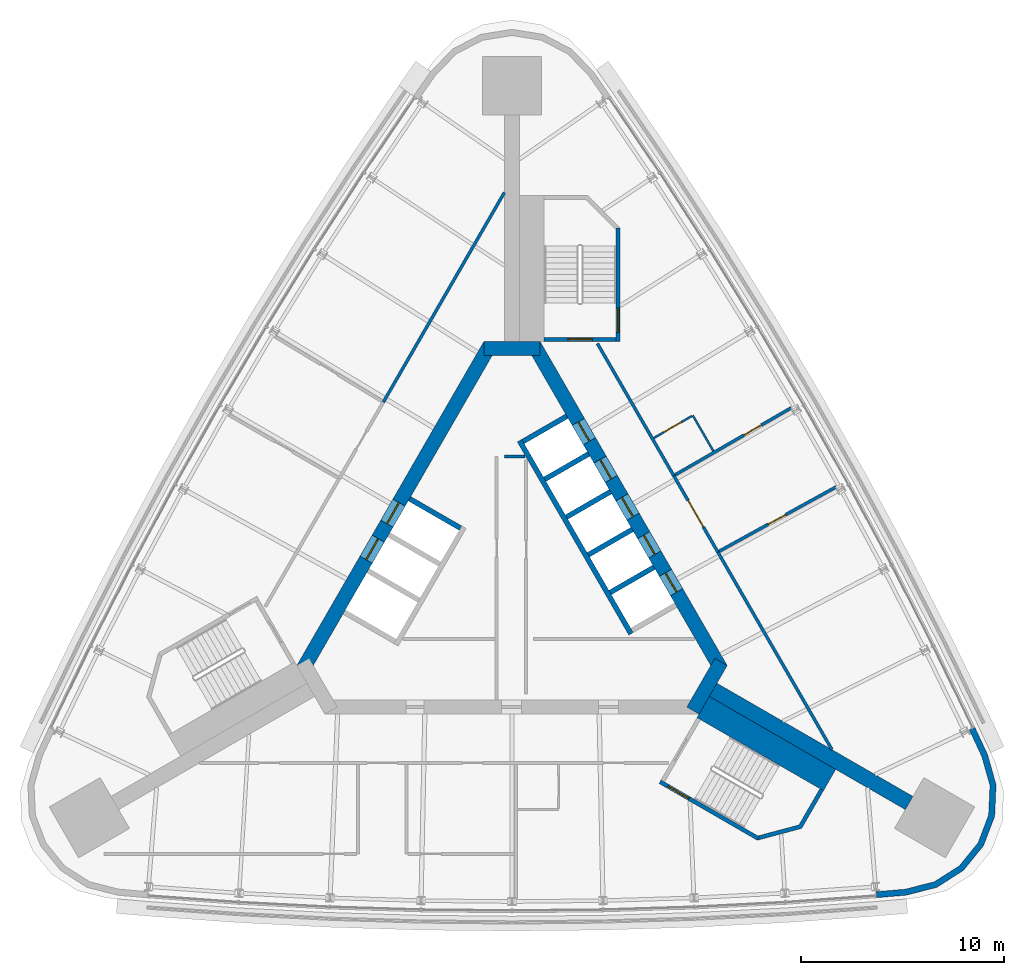
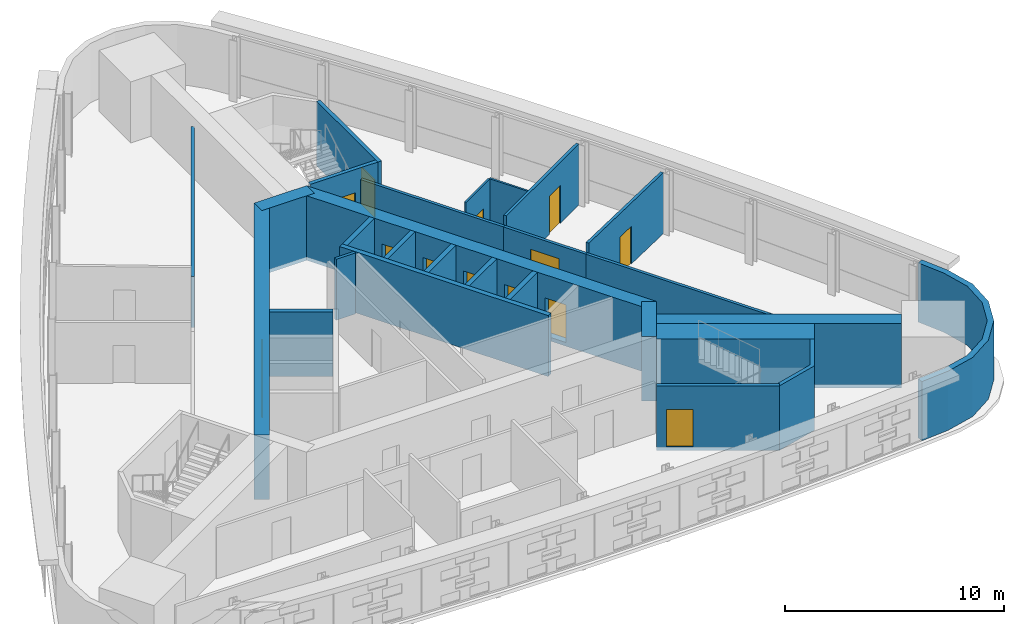
# One storey, part 10 of 13: 27 walls, 14 doors, 14 openings.
"""IFC4 building model written with IfcOpenShell, lengths in metres."""

from ifc_helpers import new_model, si_unit, direction, frame, frame_2d, origin, place, context, subcontext, project, spatial, polyline, rectangle, outline, extrude, material, layer, layer_set, type_object, element, fill, save


model = new_model("IFC4")

# Units and contexts
model_context = context("Model", 3, precision=1e-05, world=origin(), true_north=direction((0.0, 1.0)))
body_context = subcontext(model_context, "Body", "Model", "MODEL_VIEW")
ifc_project = project(units=[si_unit("LENGTHUNIT", "METRE"), si_unit("AREAUNIT", "SQUARE_METRE"), si_unit("VOLUMEUNIT", "CUBIC_METRE"), si_unit("PLANEANGLEUNIT", "RADIAN"), si_unit("MASSUNIT", "GRAM", prefix="KILO")], contexts=[model_context])

# Site, building, storey
site_placement = place(None, origin())
site = spatial("IfcSite", under=ifc_project, at=site_placement, CompositionType="ELEMENT")
building_placement = place(site_placement, origin())
building = spatial("IfcBuilding", under=site, at=building_placement, Name="Noor Cloister Tower", CompositionType="ELEMENT")
storey_placement = place(building_placement, frame((0.0, 0.0, 140.10009765625)))
storey = spatial("IfcBuildingStorey", under=building, at=storey_placement, Name="L35", CompositionType="ELEMENT", Elevation=140.10009765625)

# Walls
ifc_material_1 = material(Name="Concrete C70/85", Category="concrete")
ifc_layer_1 = layer(ifc_material_1, 0.75)
ifc_layer_set_1 = layer_set([ifc_layer_1], Name="Buttress wall 750 C70/85")
wall_type_1 = type_object("IfcWallType", Name="Buttress wall 750 C70/85", PredefinedType="SHEAR", material=ifc_layer_set_1)
wall_1_placement = place(storey_placement, frame((9.921630859375, -5.728271484375, -0.2001953125), z_axis=(0.0, 0.0, 1.0), x_axis=(0.866023928423, -0.500002555393, 0.0)))
element("IfcWall", 1, at=wall_1_placement, inside=storey, type_object=wall_type_1, Name="Buttress wall SE L35", PredefinedType="SHEAR", context=body_context, shape_type="SweptSolid", body=[
    extrude(rectangle(XDim=11.16650390625, YDim=0.75, at=frame_2d((5.583251953125, 0.0))), origin(), (0.0, 0.0, 1.0), 3.60009765625),
])
ifc_material_2 = material(Name="Concrete C30/37", Category="concrete")
ifc_layer_2 = layer(ifc_material_2, 0.14990234375)
ifc_layer_set_2 = layer_set([ifc_layer_2], Name="Core partition 150 C30/37")
wall_type_2 = type_object("IfcWallType", Name="Core partition 150 C30/37", PredefinedType="PARTITIONING", material=ifc_layer_set_2)
wall_2_placement = place(storey_placement, frame((-0.378662109375, 5.771728515625, 0.0), z_axis=(0.0, 0.0, 1.0), x_axis=(1.0, 0.0, 0.0)))
element("IfcWall", 2, at=wall_2_placement, inside=storey, type_object=wall_type_2, Name="Core room partition L35 3", PredefinedType="PARTITIONING", context=body_context, shape_type="SweptSolid", body=[
    extrude(rectangle(XDim=1.017578125, YDim=0.14990234375, at=frame_2d((0.5087890625, 0.0))), origin(), (0.0, 0.0, 1.0), 3.39990234375),
])
ifc_material_3 = material(Name="Concrete C70/85", Category="concrete")
ifc_layer_3 = layer(ifc_material_3, 0.699951171875)
ifc_layer_set_3 = layer_set([ifc_layer_3], Name="Core wall 700 C70/85")
wall_type_3 = type_object("IfcWallType", Name="Core wall 700 C70/85", PredefinedType="SHEAR", material=ifc_layer_set_3)
wall_3_placement = place(storey_placement, frame((8.925537109375, -6.753173828125, -0.2001953125), z_axis=(0.0, 0.0, 1.0), x_axis=(0.500042739161, 0.866000726912, 0.0)))
element("IfcWall", 3, at=wall_3_placement, inside=storey, type_object=wall_type_3, Name="Core wall L35 2", PredefinedType="SHEAR", context=body_context, shape_type="SweptSolid", body=[
    extrude(rectangle(XDim=2.771240234375, YDim=0.699951171875, at=frame_2d((1.3857421875, 0.0))), origin(), (0.0, 0.0, 1.0), 3.60009765625),
])

# Wall, openings, doors
wall_4_placement = place(storey_placement, frame((10.311279296875, -4.703125, -0.2001953125), z_axis=(0.0, 0.0, 1.0), x_axis=(-0.500001446645, 0.866024568562, 0.0)))
wall_4 = element("IfcWall", 4, at=wall_4_placement, inside=storey, type_object=wall_type_3, Name="Core wall L35 3", PredefinedType="SHEAR", context=body_context, shape_type="SweptSolid", body=[
    extrude(rectangle(XDim=18.45751953125, YDim=0.699951171875, at=frame_2d((9.228759765625, 0.0))), origin(), (0.0, 0.0, 1.0), 3.60009765625),
])
opening_1_placement = place(wall_4_placement, frame((4.378662109375, 0.0, 0.199951171875)))
opening_1 = element("IfcOpeningElement", 5, at=opening_1_placement, cuts=wall_4, Name="Opening L35-HR1", PredefinedType="OPENING", context=body_context, shape_type="SweptSolid", body=[
    extrude(rectangle(XDim=1.10009765625, YDim=2.10009765625, at=frame_2d((0.550048828125, 1.050048828125))), frame((0.0, 0.35986328125, 0.0), z_axis=(0.0, -1.0, 0.0), x_axis=(1.0, 0.0, 0.0)), (0.0, 0.0, 1.0), 0.719970703125),
])
opening_2_placement = place(wall_4_placement, frame((6.52880859375, 0.0, 0.199951171875)))
opening_2 = element("IfcOpeningElement", 6, at=opening_2_placement, cuts=wall_4, Name="Opening L35-HR2", PredefinedType="OPENING", context=body_context, shape_type="SweptSolid", body=[
    extrude(rectangle(XDim=1.10009765625, YDim=2.10009765625, at=frame_2d((0.550048828125, 1.050048828125))), frame((0.0, 0.35986328125, 0.0), z_axis=(0.0, -1.0, 0.0), x_axis=(1.0, 0.0, 0.0)), (0.0, 0.0, 1.0), 0.719970703125),
])
opening_3_placement = place(wall_4_placement, frame((8.6787109375, 0.0, 0.199951171875)))
opening_3 = element("IfcOpeningElement", 7, at=opening_3_placement, cuts=wall_4, Name="Opening L35-HR3", PredefinedType="OPENING", context=body_context, shape_type="SweptSolid", body=[
    extrude(rectangle(XDim=1.10009765625, YDim=2.10009765625, at=frame_2d((0.550048828125, 1.050048828125))), frame((0.0, 0.35986328125, 0.0), z_axis=(0.0, -1.0, 0.0), x_axis=(1.0, 0.0, 0.0)), (0.0, 0.0, 1.0), 0.719970703125),
])
opening_4_placement = place(wall_4_placement, frame((10.82861328125, 0.0, 0.199951171875)))
opening_4 = element("IfcOpeningElement", 8, at=opening_4_placement, cuts=wall_4, Name="Opening L35-HR4", PredefinedType="OPENING", context=body_context, shape_type="SweptSolid", body=[
    extrude(rectangle(XDim=1.10009765625, YDim=2.10009765625, at=frame_2d((0.550048828125, 1.050048828125))), frame((0.0, 0.35986328125, 0.0), z_axis=(0.0, -1.0, 0.0), x_axis=(1.0, 0.0, 0.0)), (0.0, 0.0, 1.0), 0.719970703125),
])
opening_5_placement = place(wall_4_placement, frame((12.978759765625, 0.0, 0.199951171875)))
opening_5 = element("IfcOpeningElement", 9, at=opening_5_placement, cuts=wall_4, Name="Opening L35-HR5", PredefinedType="OPENING", context=body_context, shape_type="SweptSolid", body=[
    extrude(rectangle(XDim=1.10009765625, YDim=2.10009765625, at=frame_2d((0.550048828125, 1.050048828125))), frame((0.0, 0.35986328125, 0.0), z_axis=(0.0, -1.0, 0.0), x_axis=(1.0, 0.0, 0.0)), (0.0, 0.0, 1.0), 0.719970703125),
])
ifc_material_4 = material(Name="Stainless steel", Category="steel")
door_type_1 = type_object("IfcDoorType", Name="Lift landing door 1100 x 2100", OperationType="DOUBLE_DOOR_SLIDING", PredefinedType="DOOR", material=ifc_material_4)
door_1_placement = place(opening_1_placement, origin())
door_1 = element("IfcDoor", 10, at=door_1_placement, inside=storey, type_object=door_type_1, Name="Landing door HR1 L35", OperationType="DOUBLE_DOOR_SLIDING", OverallHeight=2.10009765625, OverallWidth=1.10009765625, PredefinedType="DOOR", context=body_context, shape_type="SweptSolid", body=[
    extrude(rectangle(XDim=1.10009765625, YDim=2.10009765625, at=frame_2d((0.550048828125, 1.050048828125))), frame((0.0, 0.02490234375, 0.0), z_axis=(0.0, -1.0, 0.0), x_axis=(1.0, 0.0, 0.0)), (0.0, 0.0, 1.0), 0.050048828125),
])
fill(opening_1, door_1)
door_2_placement = place(opening_2_placement, origin())
door_2 = element("IfcDoor", 11, at=door_2_placement, inside=storey, type_object=door_type_1, Name="Landing door HR2 L35", OperationType="DOUBLE_DOOR_SLIDING", OverallHeight=2.10009765625, OverallWidth=1.10009765625, PredefinedType="DOOR", context=body_context, shape_type="SweptSolid", body=[
    extrude(rectangle(XDim=1.10009765625, YDim=2.10009765625, at=frame_2d((0.550048828125, 1.050048828125))), frame((0.0, 0.02490234375, 0.0), z_axis=(0.0, -1.0, 0.0), x_axis=(1.0, 0.0, 0.0)), (0.0, 0.0, 1.0), 0.050048828125),
])
fill(opening_2, door_2)
door_3_placement = place(opening_3_placement, origin())
door_3 = element("IfcDoor", 12, at=door_3_placement, inside=storey, type_object=door_type_1, Name="Landing door HR3 L35", OperationType="DOUBLE_DOOR_SLIDING", OverallHeight=2.10009765625, OverallWidth=1.10009765625, PredefinedType="DOOR", context=body_context, shape_type="SweptSolid", body=[
    extrude(rectangle(XDim=1.10009765625, YDim=2.10009765625, at=frame_2d((0.550048828125, 1.050048828125))), frame((0.0, 0.02490234375, 0.0), z_axis=(0.0, -1.0, 0.0), x_axis=(1.0, 0.0, 0.0)), (0.0, 0.0, 1.0), 0.050048828125),
])
fill(opening_3, door_3)
door_4_placement = place(opening_4_placement, origin())
door_4 = element("IfcDoor", 13, at=door_4_placement, inside=storey, type_object=door_type_1, Name="Landing door HR4 L35", OperationType="DOUBLE_DOOR_SLIDING", OverallHeight=2.10009765625, OverallWidth=1.10009765625, PredefinedType="DOOR", context=body_context, shape_type="SweptSolid", body=[
    extrude(rectangle(XDim=1.10009765625, YDim=2.10009765625, at=frame_2d((0.550048828125, 1.050048828125))), frame((0.0, 0.02490234375, 0.0), z_axis=(0.0, -1.0, 0.0), x_axis=(1.0, 0.0, 0.0)), (0.0, 0.0, 1.0), 0.050048828125),
])
fill(opening_4, door_4)
door_5_placement = place(opening_5_placement, origin())
door_5 = element("IfcDoor", 14, at=door_5_placement, inside=storey, type_object=door_type_1, Name="Landing door HR5 L35", OperationType="DOUBLE_DOOR_SLIDING", OverallHeight=2.10009765625, OverallWidth=1.10009765625, PredefinedType="DOOR", context=body_context, shape_type="SweptSolid", body=[
    extrude(rectangle(XDim=1.10009765625, YDim=2.10009765625, at=frame_2d((0.550048828125, 1.050048828125))), frame((0.0, 0.02490234375, 0.0), z_axis=(0.0, -1.0, 0.0), x_axis=(1.0, 0.0, 0.0)), (0.0, 0.0, 1.0), 0.050048828125),
])
fill(opening_5, door_5)

# Wall
wall_5_placement = place(storey_placement, frame((1.3857421875, 11.1064453125, -0.2001953125), z_axis=(0.0, 0.0, 1.0), x_axis=(-1.0, 0.0, 0.0)))
element("IfcWall", 15, at=wall_5_placement, inside=storey, type_object=wall_type_3, Name="Core wall L35 4", PredefinedType="SHEAR", context=body_context, shape_type="SweptSolid", body=[
    extrude(rectangle(XDim=2.771484375, YDim=0.699951171875, at=frame_2d((1.3857421875, 0.0))), origin(), (0.0, 0.0, 1.0), 3.60009765625),
])

# Wall, openings, doors
wall_6_placement = place(storey_placement, frame((-1.08251953125, 11.281494140625, -0.2001953125), z_axis=(0.0, 0.0, 1.0), x_axis=(-0.500001446645, -0.866024568562, 0.0)))
wall_6 = element("IfcWall", 16, at=wall_6_placement, inside=storey, type_object=wall_type_3, Name="Core wall L35 5", PredefinedType="SHEAR", context=body_context, shape_type="SweptSolid", body=[
    extrude(rectangle(XDim=18.45751953125, YDim=0.699951171875, at=frame_2d((9.228759765625, 0.0))), origin(), (0.0, 0.0, 1.0), 3.60009765625),
])
opening_6_placement = place(wall_6_placement, frame((8.978759765625, 0.0, 0.199951171875)))
opening_6 = element("IfcOpeningElement", 17, at=opening_6_placement, cuts=wall_6, Name="Opening L35-FF1", PredefinedType="OPENING", context=body_context, shape_type="SweptSolid", body=[
    extrude(rectangle(XDim=1.199951171875, YDim=2.10009765625, at=frame_2d((0.60009765625, 1.050048828125))), frame((0.0, 0.35986328125, 0.0), z_axis=(0.0, -1.0, 0.0), x_axis=(1.0, 0.0, 0.0)), (0.0, 0.0, 1.0), 0.719970703125),
])
opening_7_placement = place(wall_6_placement, frame((11.02880859375, 0.0, 0.199951171875)))
opening_7 = element("IfcOpeningElement", 18, at=opening_7_placement, cuts=wall_6, Name="Opening L35-FF2", PredefinedType="OPENING", context=body_context, shape_type="SweptSolid", body=[
    extrude(rectangle(XDim=1.199951171875, YDim=2.10009765625, at=frame_2d((0.60009765625, 1.050048828125))), frame((0.0, 0.35986328125, 0.0), z_axis=(0.0, -1.0, 0.0), x_axis=(1.0, 0.0, 0.0)), (0.0, 0.0, 1.0), 0.719970703125),
])
ifc_material_5 = material(Name="Stainless steel", Category="steel")
door_type_2 = type_object("IfcDoorType", Name="Lift landing door 1200 x 2100", OperationType="DOUBLE_DOOR_SLIDING", PredefinedType="DOOR", material=ifc_material_5)
door_6_placement = place(opening_6_placement, origin())
door_6 = element("IfcDoor", 19, at=door_6_placement, inside=storey, type_object=door_type_2, Name="Landing door FF1 L35", OperationType="DOUBLE_DOOR_SLIDING", OverallHeight=2.10009765625, OverallWidth=1.199951171875, PredefinedType="DOOR", context=body_context, shape_type="SweptSolid", body=[
    extrude(rectangle(XDim=1.199951171875, YDim=2.10009765625, at=frame_2d((0.60009765625, 1.050048828125))), frame((0.0, 0.02490234375, 0.0), z_axis=(0.0, -1.0, 0.0), x_axis=(1.0, 0.0, 0.0)), (0.0, 0.0, 1.0), 0.050048828125),
])
fill(opening_6, door_6)
door_7_placement = place(opening_7_placement, origin())
door_7 = element("IfcDoor", 20, at=door_7_placement, inside=storey, type_object=door_type_2, Name="Landing door FF2 L35", OperationType="DOUBLE_DOOR_SLIDING", OverallHeight=2.10009765625, OverallWidth=1.199951171875, PredefinedType="DOOR", context=body_context, shape_type="SweptSolid", body=[
    extrude(rectangle(XDim=1.199951171875, YDim=2.10009765625, at=frame_2d((0.60009765625, 1.050048828125))), frame((0.0, 0.02490234375, 0.0), z_axis=(0.0, -1.0, 0.0), x_axis=(1.0, 0.0, 0.0)), (0.0, 0.0, 1.0), 0.050048828125),
])
fill(opening_7, door_7)

# Walls
ifc_material_6 = material(Name="Fire-rated gypsum board partition on steel studs, 150 mm", Category="steel")
ifc_layer_4 = layer(ifc_material_6, 0.14990234375)
ifc_layer_set_4 = layer_set([ifc_layer_4], Name="Fire lobby wall 150")
wall_type_4 = type_object("IfcWallType", Name="Fire lobby wall 150", PredefinedType="PARTITIONING", material=ifc_layer_set_4)
wall_7_placement = place(storey_placement, frame((-0.375, 18.806884765625, 0.0), z_axis=(0.0, 0.0, 1.0), x_axis=(-0.499995562011, -0.866027966043, 0.0)))
element("IfcWall", 21, at=wall_7_placement, inside=storey, type_object=wall_type_4, Name="Wall L35-W18", PredefinedType="PARTITIONING", context=body_context, shape_type="SweptSolid", body=[
    extrude(rectangle(XDim=11.9423828125, YDim=0.14990234375, at=frame_2d((5.97119140625, 0.0))), origin(), (0.0, 0.0, 1.0), 2.851806640625),
])
ifc_material_7 = material(Name="Gypsum board partition on steel studs, 150 mm", Category="steel")
ifc_layer_5 = layer(ifc_material_7, 0.14990234375)
ifc_layer_set_5 = layer_set([ifc_layer_5], Name="Flat wall 150")
wall_type_5 = type_object("IfcWallType", Name="Flat wall 150", PredefinedType="PARTITIONING", material=ifc_layer_set_5)
wall_8_placement = place(storey_placement, frame((15.781982421875, -8.6787109375, 0.0), z_axis=(0.0, 0.0, 1.0), x_axis=(-0.500008408626, 0.866020549008, 0.0)))
element("IfcWall", 22, at=wall_8_placement, inside=storey, type_object=wall_type_5, Name="Wall L35-W01", PredefinedType="PARTITIONING", context=body_context, shape_type="SweptSolid", body=[
    extrude(rectangle(XDim=11.258056640625, YDim=0.14990234375, at=frame_2d((5.62890625, 0.0))), origin(), (0.0, 0.0, 1.0), 2.851806640625),
])
wall_9_placement = place(storey_placement, frame((7.978515625, 4.83740234375, 0.0), z_axis=(0.0, 0.0, 1.0), x_axis=(-0.500014427086, 0.866017074142, 0.0)))
element("IfcWall", 23, at=wall_9_placement, inside=storey, type_object=wall_type_5, Name="Wall L35-W02", PredefinedType="PARTITIONING", context=body_context, shape_type="SweptSolid", body=[
    extrude(rectangle(XDim=7.527587890625, YDim=0.14990234375, at=frame_2d((3.763671875, 0.0))), origin(), (0.0, 0.0, 1.0), 2.846923828125),
])

# Wall, opening, door
wall_10_placement = place(storey_placement, frame((15.98046875, 4.278076171875, 0.0), z_axis=(0.0, 0.0, 1.0), x_axis=(-0.876090474863, -0.482146740997, 0.0)))
wall_10 = element("IfcWall", 24, at=wall_10_placement, inside=storey, type_object=wall_type_5, Name="Wall L35-W03", PredefinedType="PARTITIONING", context=body_context, shape_type="SweptSolid", body=[
    extrude(rectangle(XDim=6.57666015625, YDim=0.14990234375, at=frame_2d((3.288330078125, 0.0))), origin(), (0.0, 0.0, 1.0), 3.39990234375),
])
opening_8_placement = place(wall_10_placement, frame((2.825927734375, 0.0, 0.0)))
opening_8 = element("IfcOpeningElement", 25, at=opening_8_placement, cuts=wall_10, Name="Opening L35-002", PredefinedType="OPENING", context=body_context, shape_type="SweptSolid", body=[
    extrude(rectangle(XDim=1.0, YDim=2.10009765625, at=frame_2d((0.5, 1.050048828125))), frame((0.0, 0.0849609375, 0.0), z_axis=(0.0, -1.0, 0.0), x_axis=(1.0, 0.0, 0.0)), (0.0, 0.0, 1.0), 0.169921875),
])
ifc_material_8 = material(Name="Timber door leaf with steel frame", Category="steel")
door_type_3 = type_object("IfcDoorType", Name="Interior door 1000 FD60", OperationType="NOTDEFINED", PredefinedType="DOOR", material=ifc_material_8)
door_8_placement = place(opening_8_placement, origin())
door_8 = element("IfcDoor", 26, at=door_8_placement, inside=storey, type_object=door_type_3, Name="Door L35-002", OperationType="SINGLE_SWING_RIGHT", OverallHeight=2.10009765625, OverallWidth=1.0, PredefinedType="DOOR", context=body_context, shape_type="SweptSolid", body=[
    extrude(rectangle(XDim=1.0, YDim=2.10009765625, at=frame_2d((0.5, 1.050048828125))), frame((0.0, 0.02490234375, 0.0), z_axis=(0.0, -1.0, 0.0), x_axis=(1.0, 0.0, 0.0)), (0.0, 0.0, 1.0), 0.050048828125),
])
fill(opening_8, door_8)

wall_11_placement = place(storey_placement, frame((13.774169921875, 8.183349609375, 0.0), z_axis=(0.0, 0.0, 1.0), x_axis=(-0.866027686223, -0.499996046679, 0.0)))
wall_11 = element("IfcWall", 27, at=wall_11_placement, inside=storey, type_object=wall_type_5, Name="Wall L35-W04", PredefinedType="PARTITIONING", context=body_context, shape_type="SweptSolid", body=[
    extrude(rectangle(XDim=6.6171875, YDim=0.14990234375, at=frame_2d((3.30859375, 0.0))), origin(), (0.0, 0.0, 1.0), 3.39990234375),
])
opening_9_placement = place(wall_11_placement, frame((1.696044921875, 0.0, 0.0)))
opening_9 = element("IfcOpeningElement", 28, at=opening_9_placement, cuts=wall_11, Name="Opening L35-004", PredefinedType="OPENING", context=body_context, shape_type="SweptSolid", body=[
    extrude(rectangle(XDim=1.0, YDim=2.10009765625, at=frame_2d((0.5, 1.050048828125))), frame((0.0, 0.0849609375, 0.0), z_axis=(0.0, -1.0, 0.0), x_axis=(1.0, 0.0, 0.0)), (0.0, 0.0, 1.0), 0.169921875),
])
ifc_material_9 = material(Name="Timber door leaf with steel frame", Category="steel")
door_type_4 = type_object("IfcDoorType", Name="Flat entrance door 1000", OperationType="NOTDEFINED", PredefinedType="DOOR", material=ifc_material_9)
door_9_placement = place(opening_9_placement, origin())
door_9 = element("IfcDoor", 29, at=door_9_placement, inside=storey, type_object=door_type_4, Name="Door L35-004", OperationType="SINGLE_SWING_RIGHT", OverallHeight=2.10009765625, OverallWidth=1.0, PredefinedType="DOOR", context=body_context, shape_type="SweptSolid", body=[
    extrude(rectangle(XDim=1.0, YDim=2.10009765625, at=frame_2d((0.5, 1.050048828125))), frame((0.0, 0.02490234375, 0.0), z_axis=(0.0, -1.0, 0.0), x_axis=(1.0, 0.0, 0.0)), (0.0, 0.0, 1.0), 0.050048828125),
])
fill(opening_9, door_9)

wall_12_placement = place(storey_placement, frame((10.15283203125, 1.071044921875, 0.0), z_axis=(0.0, 0.0, 1.0), x_axis=(-0.499967049188, 0.866044427109, 0.0)))
wall_12 = element("IfcWall", 30, at=wall_12_placement, inside=storey, type_object=wall_type_5, Name="Wall L35-W05", PredefinedType="PARTITIONING", context=body_context, shape_type="SweptSolid", body=[
    extrude(rectangle(XDim=4.348876953125, YDim=0.14990234375, at=frame_2d((2.17431640625, 0.0))), origin(), (0.0, 0.0, 1.0), 2.846923828125),
])
opening_10_placement = place(wall_12_placement, frame((1.424560546875, 0.0, 0.0)))
opening_10 = element("IfcOpeningElement", 31, at=opening_10_placement, cuts=wall_12, Name="Opening L35-001", PredefinedType="OPENING", context=body_context, shape_type="SweptSolid", body=[
    extrude(rectangle(XDim=1.5, YDim=2.10009765625, at=frame_2d((0.75, 1.050048828125))), frame((0.0, 0.0849609375, 0.0), z_axis=(0.0, -1.0, 0.0), x_axis=(1.0, 0.0, 0.0)), (0.0, 0.0, 1.0), 0.169921875),
])
ifc_material_10 = material(Name="Timber door leaf with steel frame", Category="steel")
door_type_5 = type_object("IfcDoorType", Name="Double door 1500 FD60", OperationType="NOTDEFINED", PredefinedType="DOOR", material=ifc_material_10)
door_10_placement = place(opening_10_placement, origin())
door_10 = element("IfcDoor", 32, at=door_10_placement, inside=storey, type_object=door_type_5, Name="Door L35-001", OperationType="DOUBLE_DOOR_SINGLE_SWING", OverallHeight=2.10009765625, OverallWidth=1.5, PredefinedType="DOOR", context=body_context, shape_type="SweptSolid", body=[
    extrude(rectangle(XDim=1.5, YDim=2.10009765625, at=frame_2d((0.75, 1.050048828125))), frame((0.0, 0.02490234375, 0.0), z_axis=(0.0, -1.0, 0.0), x_axis=(1.0, 0.0, 0.0)), (0.0, 0.0, 1.0), 0.050048828125),
])
fill(opening_10, door_10)

# Walls
ifc_material_11 = material(Name="Limestone", Category="masonry")
ifc_layer_6 = layer(ifc_material_11, 0.300048828125)
ifc_layer_set_6 = layer_set([ifc_layer_6], Name="Limestone cladding 300")
wall_type_6 = type_object("IfcWallType", Name="Limestone cladding 300", PredefinedType="NOTDEFINED", material=ifc_layer_set_6)
wall_13_placement = place(storey_placement, origin())
element("IfcWall", 33, at=wall_13_placement, inside=storey, type_object=wall_type_6, Name="Limestone pier cladding L35 2.1", PredefinedType="NOTDEFINED", context=body_context, shape_type="SweptSolid", body=[
    extrude(outline(polyline([(17.979736328125, -15.98486328125), (19.44189453125, -15.859619140625), (20.95458984375, -15.47607421875), (22.27001953125, -14.636474609375), (23.25537109375, -13.426513671875), (23.810791015625, -11.96826171875), (23.8798828125, -10.4091796875), (23.455810546875, -8.907470703125), (22.833251953125, -7.57861328125), (22.5615234375, -7.705810546875), (23.173828125, -9.012451171875), (23.578125, -10.444091796875), (23.51318359375, -11.906494140625), (22.9921875, -13.274658203125), (22.06787109375, -14.40966796875), (20.833984375, -15.197021484375), (19.39208984375, -15.56298828125), (17.954345703125, -15.685791015625), (17.979736328125, -15.98486328125)])), origin(), (0.0, 0.0, 1.0), 3.2998046875),
])
ifc_material_12 = material(Name="Gypsum board partition on steel studs, 100 mm", Category="steel")
ifc_layer_7 = layer(ifc_material_12, 0.10009765625)
ifc_layer_set_7 = layer_set([ifc_layer_7], Name="Partition 100")
wall_type_7 = type_object("IfcWallType", Name="Partition 100", PredefinedType="PARTITIONING", material=ifc_layer_set_7)
wall_14_placement = place(storey_placement, frame((9.932861328125, 6.05224609375, 0.0), z_axis=(0.0, 0.0, 1.0), x_axis=(-0.499990325971, 0.866030989016, 0.0)))
element("IfcWall", 34, at=wall_14_placement, inside=storey, type_object=wall_type_7, Name="Wall L35-W06", PredefinedType="PARTITIONING", context=body_context, shape_type="SweptSolid", body=[
    extrude(rectangle(XDim=2.02490234375, YDim=0.10009765625, at=frame_2d((1.012451171875, 0.0))), origin(), (0.0, 0.0, 1.0), 3.39990234375),
])

# Wall, opening, door
wall_15_placement = place(storey_placement, frame((8.876953125, 7.781005859375, 0.0), z_axis=(0.0, 0.0, 1.0), x_axis=(-0.865989304205, -0.500062521093, 0.0)))
wall_15 = element("IfcWall", 35, at=wall_15_placement, inside=storey, type_object=wall_type_7, Name="Wall L35-W07", PredefinedType="PARTITIONING", context=body_context, shape_type="SweptSolid", body=[
    extrude(rectangle(XDim=2.175048828125, YDim=0.10009765625, at=frame_2d((1.08740234375, 0.0))), origin(), (0.0, 0.0, 1.0), 3.39990234375),
])
opening_11_placement = place(wall_15_placement, frame((0.60009765625, 0.0, 0.0)))
opening_11 = element("IfcOpeningElement", 36, at=opening_11_placement, cuts=wall_15, Name="Opening L35-003", PredefinedType="OPENING", context=body_context, shape_type="SweptSolid", body=[
    extrude(rectangle(XDim=1.0, YDim=2.10009765625, at=frame_2d((0.5, 1.050048828125))), frame((0.0, 0.06005859375, 0.0), z_axis=(0.0, -1.0, 0.0), x_axis=(1.0, 0.0, 0.0)), (0.0, 0.0, 1.0), 0.1201171875),
])
ifc_material_13 = material(Name="Timber door leaf with steel frame", Category="steel")
door_type_6 = type_object("IfcDoorType", Name="Interior door 1000", OperationType="NOTDEFINED", PredefinedType="DOOR", material=ifc_material_13)
door_11_placement = place(opening_11_placement, origin())
door_11 = element("IfcDoor", 37, at=door_11_placement, inside=storey, type_object=door_type_6, Name="Door L35-003", OperationType="SINGLE_SWING_LEFT", OverallHeight=2.10009765625, OverallWidth=1.0, PredefinedType="DOOR", context=body_context, shape_type="SweptSolid", body=[
    extrude(rectangle(XDim=1.0, YDim=2.10009765625, at=frame_2d((0.5, 1.050048828125))), frame((0.0, 0.02490234375, 0.0), z_axis=(0.0, -1.0, 0.0), x_axis=(1.0, 0.0, 0.0)), (0.0, 0.0, 1.0), 0.050048828125),
])
fill(opening_11, door_11)

# Walls
ifc_material_14 = material(Name="Concrete C70/85", Category="concrete")
ifc_layer_8 = layer(ifc_material_14, 0.25)
ifc_layer_set_8 = layer_set([ifc_layer_8], Name="Shaft wall 250 C70/85")
wall_type_8 = type_object("IfcWallType", Name="Shaft wall 250 C70/85", PredefinedType="PARTITIONING", material=ifc_layer_set_8)
wall_16_placement = place(storey_placement, frame((7.00634765625, 0.3212890625, -0.2001953125), z_axis=(0.0, 0.0, 1.0), x_axis=(-0.866022959057, -0.500004234368, 0.0)))
element("IfcWall", 38, at=wall_16_placement, inside=storey, type_object=wall_type_8, Name="Lift shaft wall L35 NE 2", PredefinedType="PARTITIONING", context=body_context, shape_type="SweptSolid", body=[
    extrude(rectangle(XDim=2.5, YDim=0.25, at=frame_2d((1.25, 0.0))), origin(), (0.0, 0.0, 1.0), 3.60009765625),
])
wall_17_placement = place(storey_placement, frame((5.931396484375, 2.18310546875, -0.2001953125), z_axis=(0.0, 0.0, 1.0), x_axis=(-0.866047370643, -0.499961950354, 0.0)))
element("IfcWall", 39, at=wall_17_placement, inside=storey, type_object=wall_type_8, Name="Lift shaft wall L35 NE 3", PredefinedType="PARTITIONING", context=body_context, shape_type="SweptSolid", body=[
    extrude(rectangle(XDim=2.500244140625, YDim=0.25, at=frame_2d((1.25, 0.0))), origin(), (0.0, 0.0, 1.0), 3.60009765625),
])
for number, where, z_axis, x_axis, name in (
    (40, (4.856201171875, 4.045166015625, -0.2001953125), (0.0, 0.0, 1.0), (-0.866022959057, -0.500004234368, 0.0), "Lift shaft wall L35 NE 4"),
    (41, (3.78125, 5.906982421875, -0.2001953125), (0.0, 0.0, 1.0), (-0.866022959057, -0.500004234368, 0.0), "Lift shaft wall L35 NE 5"),
    (42, (2.706298828125, 7.76904296875, -0.2001953125), (0.0, 0.0, 1.0), (-0.866022959057, -0.500004234368, 0.0), "Lift shaft wall L35 NE 6"),
):
    element("IfcWall", number, at=place(storey_placement, frame(where, z_axis=z_axis, x_axis=x_axis)), inside=storey, type_object=wall_type_8, Name=name, PredefinedType="PARTITIONING", context=body_context, shape_type="SweptSolid", body=[
        extrude(rectangle(XDim=2.5, YDim=0.25, at=frame_2d((1.25, 0.0))), origin(), (0.0, 0.0, 1.0), 3.60009765625),
    ])
wall_18_placement = place(storey_placement, frame((5.870361328125, -2.96142578125, 0.0), z_axis=(0.0, 0.0, 1.0), x_axis=(-0.50000615651, 0.866021849293, 0.0)))
element("IfcWall", 43, at=wall_18_placement, inside=storey, type_object=wall_type_8, Name="Lift shaft back wall L35 NE", PredefinedType="PARTITIONING", context=body_context, shape_type="SweptSolid", body=[
    extrude(rectangle(XDim=10.999755859375, YDim=0.25, at=frame_2d((5.5, 0.0))), origin(), (0.0, 0.0, 1.0), 3.39990234375),
])
wall_19_placement = place(storey_placement, frame((-5.056396484375, 3.69873046875, -0.2001953125), z_axis=(0.0, 0.0, 1.0), x_axis=(0.866032775405, -0.499987231761, 0.0)))
element("IfcWall", 44, at=wall_19_placement, inside=storey, type_object=wall_type_8, Name="Lift shaft wall L35 NW 3", PredefinedType="PARTITIONING", context=body_context, shape_type="SweptSolid", body=[
    extrude(rectangle(XDim=2.89990234375, YDim=0.25, at=frame_2d((1.449951171875, 0.0))), origin(), (0.0, 0.0, 1.0), 3.60009765625),
])
ifc_material_15 = material(Name="Concrete C70/85", Category="concrete")
ifc_layer_9 = layer(ifc_material_15, 1.2109375)
ifc_layer_set_9 = layer_set([ifc_layer_9], Name="Stair enclosure wall 1211 C70/85")
wall_type_9 = type_object("IfcWallType", Name="Stair enclosure wall 1211 C70/85", PredefinedType="SHEAR", material=ifc_layer_set_9)
wall_20_placement = place(storey_placement, frame((9.431396484375, -6.5771484375, -0.2001953125), z_axis=(0.0, 0.0, 1.0), x_axis=(0.866018442252, -0.500012057535, 0.0)))
element("IfcWall", 45, at=wall_20_placement, inside=storey, type_object=wall_type_9, Name="Stair enclosure wall ST3 L35 riser side", PredefinedType="SHEAR", context=body_context, shape_type="SweptSolid", body=[
    extrude(rectangle(XDim=7.199951171875, YDim=1.210693359375, at=frame_2d((3.60009765625, 0.0))), origin(), (0.0, 0.0, 1.0), 3.60009765625),
])

# Wall, opening, door
ifc_material_16 = material(Name="Concrete C70/85", Category="concrete")
ifc_layer_10 = layer(ifc_material_16, 0.199951171875)
ifc_layer_set_10 = layer_set([ifc_layer_10], Name="Stair enclosure wall 200 C70/85")
wall_type_10 = type_object("IfcWallType", Name="Stair enclosure wall 200 C70/85", PredefinedType="SHEAR", material=ifc_layer_set_10)
wall_21_placement = place(storey_placement, frame((5.135498046875, 11.556396484375, -0.2001953125), z_axis=(0.0, 0.0, 1.0), x_axis=(-1.0, 0.0, 0.0)))
wall_21 = element("IfcWall", 46, at=wall_21_placement, inside=storey, type_object=wall_type_10, Name="Stair enclosure wall ST1 L35 near end", PredefinedType="SHEAR", context=body_context, shape_type="SweptSolid", body=[
    extrude(rectangle(XDim=3.5498046875, YDim=0.199951171875, at=frame_2d((1.77490234375, 0.0))), origin(), (0.0, 0.0, 1.0), 3.60009765625),
])
opening_12_placement = place(wall_21_placement, frame((1.175048828125, 0.0, 0.199951171875)))
opening_12 = element("IfcOpeningElement", 47, at=opening_12_placement, cuts=wall_21, Name="Opening L35-ST1L", PredefinedType="OPENING", context=body_context, shape_type="SweptSolid", body=[
    extrude(rectangle(XDim=1.199951171875, YDim=2.10009765625, at=frame_2d((0.60009765625, 1.050048828125))), frame((0.0, 0.10986328125, 0.0), z_axis=(0.0, -1.0, 0.0), x_axis=(1.0, 0.0, 0.0)), (0.0, 0.0, 1.0), 0.219970703125),
])
ifc_material_17 = material(Name="Steel", Category="steel")
door_type_7 = type_object("IfcDoorType", Name="Stair door 1200 x 2100 FD120", OperationType="SINGLE_SWING_LEFT", PredefinedType="DOOR", material=ifc_material_17)
door_12_placement = place(opening_12_placement, origin())
door_12 = element("IfcDoor", 48, at=door_12_placement, inside=storey, type_object=door_type_7, Name="Stair door ST1 L35", OperationType="SINGLE_SWING_RIGHT", OverallHeight=2.10009765625, OverallWidth=1.199951171875, PredefinedType="DOOR", context=body_context, shape_type="SweptSolid", body=[
    extrude(rectangle(XDim=1.199951171875, YDim=2.10009765625, at=frame_2d((0.60009765625, 1.050048828125))), frame((0.0, 0.02490234375, 0.0), z_axis=(0.0, -1.0, 0.0), x_axis=(1.0, 0.0, 0.0)), (0.0, 0.0, 1.0), 0.050048828125),
])
fill(opening_12, door_12)

wall_22_placement = place(storey_placement, frame((5.235595703125, 11.456298828125, -0.2001953125), z_axis=(0.0, 0.0, 1.0), x_axis=(0.0, 1.0, 0.0)))
wall_22 = element("IfcWall", 49, at=wall_22_placement, inside=storey, type_object=wall_type_10, Name="Stair enclosure wall ST1 L35 outer side", PredefinedType="SHEAR", context=body_context, shape_type="SweptSolid", body=[
    extrude(rectangle(XDim=5.60009765625, YDim=0.199951171875, at=frame_2d((2.800048828125, 0.0))), origin(), (0.0, 0.0, 1.0), 3.60009765625),
])
opening_13_placement = place(wall_22_placement, frame((0.449951171875, 0.0, 0.199951171875)))
opening_13 = element("IfcOpeningElement", 50, at=opening_13_placement, cuts=wall_22, Name="Opening L35-ST1C", PredefinedType="OPENING", context=body_context, shape_type="SweptSolid", body=[
    extrude(rectangle(XDim=1.199951171875, YDim=2.10009765625, at=frame_2d((0.60009765625, 1.050048828125))), frame((0.0, 0.10986328125, 0.0), z_axis=(0.0, -1.0, 0.0), x_axis=(1.0, 0.0, 0.0)), (0.0, 0.0, 1.0), 0.219970703125),
])
door_13_placement = place(opening_13_placement, origin())
door_13 = element("IfcDoor", 51, at=door_13_placement, inside=storey, type_object=door_type_7, Name="Stair door ST1 L35", OperationType="SINGLE_SWING_LEFT", OverallHeight=2.10009765625, OverallWidth=1.199951171875, PredefinedType="DOOR", context=body_context, shape_type="SweptSolid", body=[
    extrude(rectangle(XDim=1.199951171875, YDim=2.10009765625, at=frame_2d((0.60009765625, 1.050048828125))), frame((0.0, 0.02490234375, 0.0), z_axis=(0.0, -1.0, 0.0), x_axis=(1.0, 0.0, 0.0)), (0.0, 0.0, 1.0), 0.050048828125),
])
fill(opening_13, door_13)

wall_23_placement = place(storey_placement, frame((7.3037109375, -10.262451171875, -0.2001953125), z_axis=(0.0, 0.0, 1.0), x_axis=(0.866026594901, -0.49999793692, 0.0)))
wall_23 = element("IfcWall", 52, at=wall_23_placement, inside=storey, type_object=wall_type_10, Name="Stair enclosure wall ST3 L35 outer side", PredefinedType="SHEAR", context=body_context, shape_type="SweptSolid", body=[
    extrude(rectangle(XDim=5.60009765625, YDim=0.199951171875, at=frame_2d((2.800048828125, 0.0))), origin(), (0.0, 0.0, 1.0), 3.60009765625),
])
opening_14_placement = place(wall_23_placement, frame((0.449951171875, 0.0, 0.199951171875)))
opening_14 = element("IfcOpeningElement", 53, at=opening_14_placement, cuts=wall_23, Name="Opening L35-ST3C", PredefinedType="OPENING", context=body_context, shape_type="SweptSolid", body=[
    extrude(rectangle(XDim=1.199951171875, YDim=2.10009765625, at=frame_2d((0.60009765625, 1.050048828125))), frame((0.0, 0.10986328125, 0.0), z_axis=(0.0, -1.0, 0.0), x_axis=(1.0, 0.0, 0.0)), (0.0, 0.0, 1.0), 0.219970703125),
])
door_14_placement = place(opening_14_placement, origin())
door_14 = element("IfcDoor", 54, at=door_14_placement, inside=storey, type_object=door_type_7, Name="Stair door ST3 L35", OperationType="SINGLE_SWING_LEFT", OverallHeight=2.10009765625, OverallWidth=1.199951171875, PredefinedType="DOOR", context=body_context, shape_type="SweptSolid", body=[
    extrude(rectangle(XDim=1.199951171875, YDim=2.10009765625, at=frame_2d((0.60009765625, 1.050048828125))), frame((0.0, 0.02490234375, 0.0), z_axis=(0.0, -1.0, 0.0), x_axis=(1.0, 0.0, 0.0)), (0.0, 0.0, 1.0), 0.050048828125),
])
fill(opening_14, door_14)

# Wall
ifc_material_18 = material(Name="Concrete C70/85", Category="concrete")
wall_type_11 = type_object("IfcWallType", Name="Stair far end wall C70/85", PredefinedType="SHEAR", material=ifc_material_18)
wall_24_placement = place(storey_placement, frame((0.0, 0.0, -0.2001953125)))
element("IfcWall", 55, at=wall_24_placement, inside=storey, type_object=wall_type_11, Name="Stair enclosure wall ST3 L35 far end", PredefinedType="SHEAR", context=body_context, shape_type="SweptSolid", body=[
    extrude(outline(polyline([(12.103515625, -13.14892578125), (14.2890625, -12.5634765625), (15.364013671875, -10.701416015625), (15.19091796875, -10.601318359375), (14.1572265625, -12.3916015625), (12.131591796875, -12.934326171875), (12.20361328125, -12.975830078125), (12.20361328125, -12.975830078125), (12.20361328125, -12.975830078125), (12.20361328125, -12.975830078125), (12.20361328125, -12.975830078125), (12.20361328125, -12.975830078125), (12.20361328125, -12.975830078125), (12.20361328125, -12.975830078125), (12.20361328125, -12.975830078125), (12.20361328125, -12.975830078125), (12.20361328125, -12.975830078125), (12.20361328125, -12.975830078125), (12.20361328125, -12.975830078125), (12.20361328125, -12.975830078125), (12.20361328125, -12.975830078125), (12.20361328125, -12.975830078125), (12.20361328125, -12.975830078125), (12.103515625, -13.14892578125)])), origin(), (0.0, 0.0, 1.0), 3.60009765625),
])

save(model, "model.ifc")
